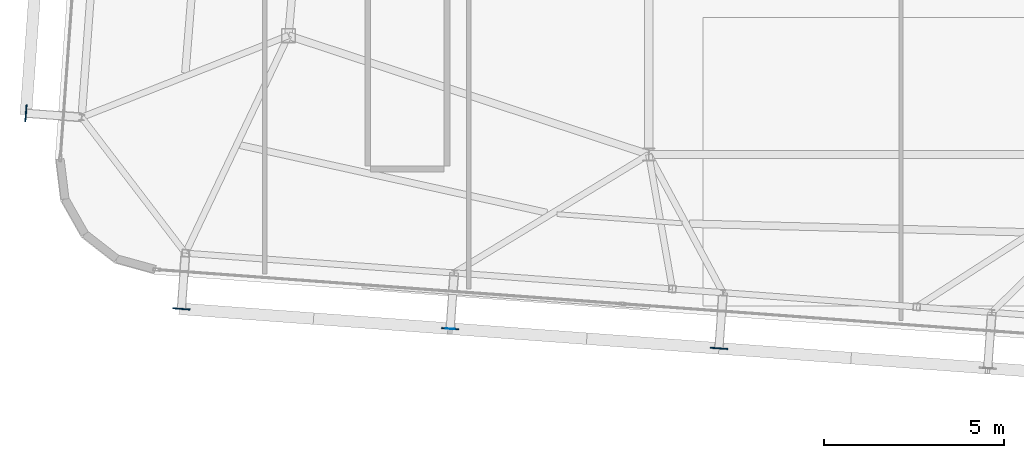
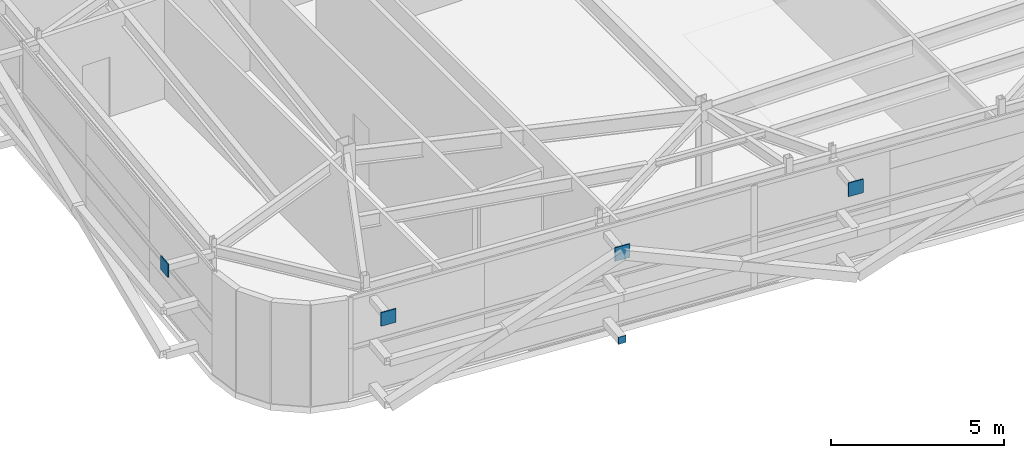
# One storey, part 24 of 35: 5 plates.
"""IFC4 building model written with IfcOpenShell, lengths in metres."""

from ifc_helpers import new_model, si_unit, direction, frame, origin, origin_2d, place, context, subcontext, project, spatial, rectangle, extrude, source, transform, mapped, material, layer, layer_set, type_object, element, save


model = new_model("IFC4")

# Units and contexts
model_context = context("Model", 3, precision=1e-05, world=origin(), true_north=direction((0.0, 1.0)))
body_context = subcontext(model_context, "Body", "Model", "MODEL_VIEW")
ifc_project = project(units=[si_unit("LENGTHUNIT", "METRE"), si_unit("AREAUNIT", "SQUARE_METRE"), si_unit("VOLUMEUNIT", "CUBIC_METRE"), si_unit("PLANEANGLEUNIT", "RADIAN"), si_unit("MASSUNIT", "GRAM", prefix="KILO")], contexts=[model_context])

# Site, building, storey
site_placement = place(None, origin())
site = spatial("IfcSite", under=ifc_project, at=site_placement, CompositionType="ELEMENT")
building_placement = place(site_placement, origin())
building = spatial("IfcBuilding", under=site, at=building_placement, Name="Taldren Reach Tower", CompositionType="ELEMENT")
storey_placement = place(building_placement, frame((0.0, 0.0, 249.199951171875)))
storey = spatial("IfcBuildingStorey", under=building, at=storey_placement, Name="L76", CompositionType="ELEMENT", Elevation=249.199951171875)

# Plates
ifc_material_1 = material(Name="Steel Gr 350 (C350L0)", Category="steel")
ifc_layer_1 = layer(ifc_material_1, 0.011962890625)
ifc_layer_set_1 = layer_set([ifc_layer_1], Name="Steel Gr 350 (C350L0)")
plate_type_1 = type_object("IfcPlateType", Name="PL-CAP-250", PredefinedType="SHEET", material=ifc_layer_set_1)
shared_shape_1 = source(origin(), body_context, "Body", "SweptSolid", [
    extrude(rectangle(XDim=0.25, YDim=0.011962890625, at=origin_2d()), origin(), (0.0, 0.0, 1.0), 0.25),
])
plate_placement = place(storey_placement, frame((22.486572265625, 4.360595703125, 0.094970703125), z_axis=(0.0, 0.0, 1.0), x_axis=(0.997314477224, -0.073238197128, 0.0)))
element("IfcPlate", 1, at=plate_placement, inside=storey, type_object=plate_type_1, Name="Tie strut end cap plate B5-S2 L76", PredefinedType="SHEET", context=body_context, shape_type="MappedRepresentation", body=[
    mapped(shared_shape_1, transform((0.0, 0.0, 0.0), scale=1.0)),
])
ifc_material_2 = material(Name="Steel Gr 450 (C450L0)", Category="steel")
ifc_layer_2 = layer(ifc_material_2, 0.031982421875)
ifc_layer_set_2 = layer_set([ifc_layer_2], Name="Steel Gr 450 (C450L0)")
plate_type_2 = type_object("IfcPlateType", Name="PL-GUSSET-32", PredefinedType="SHEET", material=ifc_layer_set_2)
shared_shape_2 = source(origin(), body_context, "Body", "SweptSolid", [
    extrude(rectangle(XDim=0.47998046875, YDim=0.031982421875, at=origin_2d()), origin(), (0.0, 0.0, 1.0), 0.47998046875),
])
for number, where, z_axis, x_axis, name in (
    (2, (15.027099609375, 4.914306640625, 3.050048828125), (0.0, 0.0, 1.0), (0.997314477224, -0.073238197128, 0.0), "Exoskeleton star-node gusset plate B5-S1 L76"),
    (3, (22.487060546875, 4.36669921875, 3.050048828125), (0.0, 0.0, 1.0), (0.997314477224, -0.073238197128, 0.0), "Exoskeleton star-node gusset plate B5-S2 L76"),
    (4, (29.947021484375, 3.81884765625, 3.050048828125), (0.0, 0.0, 1.0), (0.997314477224, -0.073238197128, 0.0), "Exoskeleton star-node gusset plate B5-S3 L76"),
    (5, (10.71337890625, 10.344970703125, 3.050048828125), (0.0, 0.0, 1.0), (0.073238197128, 0.997314477224, 0.0), "Exoskeleton star-node gusset plate B5-W1 L76"),
):
    element("IfcPlate", number, at=place(storey_placement, frame(where, z_axis=z_axis, x_axis=x_axis)), inside=storey, type_object=plate_type_2, Name=name, PredefinedType="SHEET", context=body_context, shape_type="MappedRepresentation", body=[
        mapped(shared_shape_2, transform((0.0, 0.0, 0.0), scale=1.0)),
    ])

save(model, "model.ifc")
